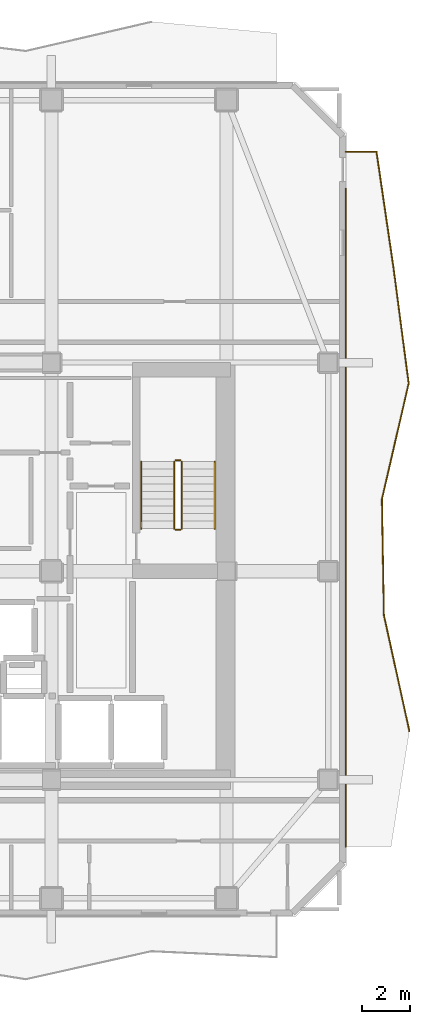
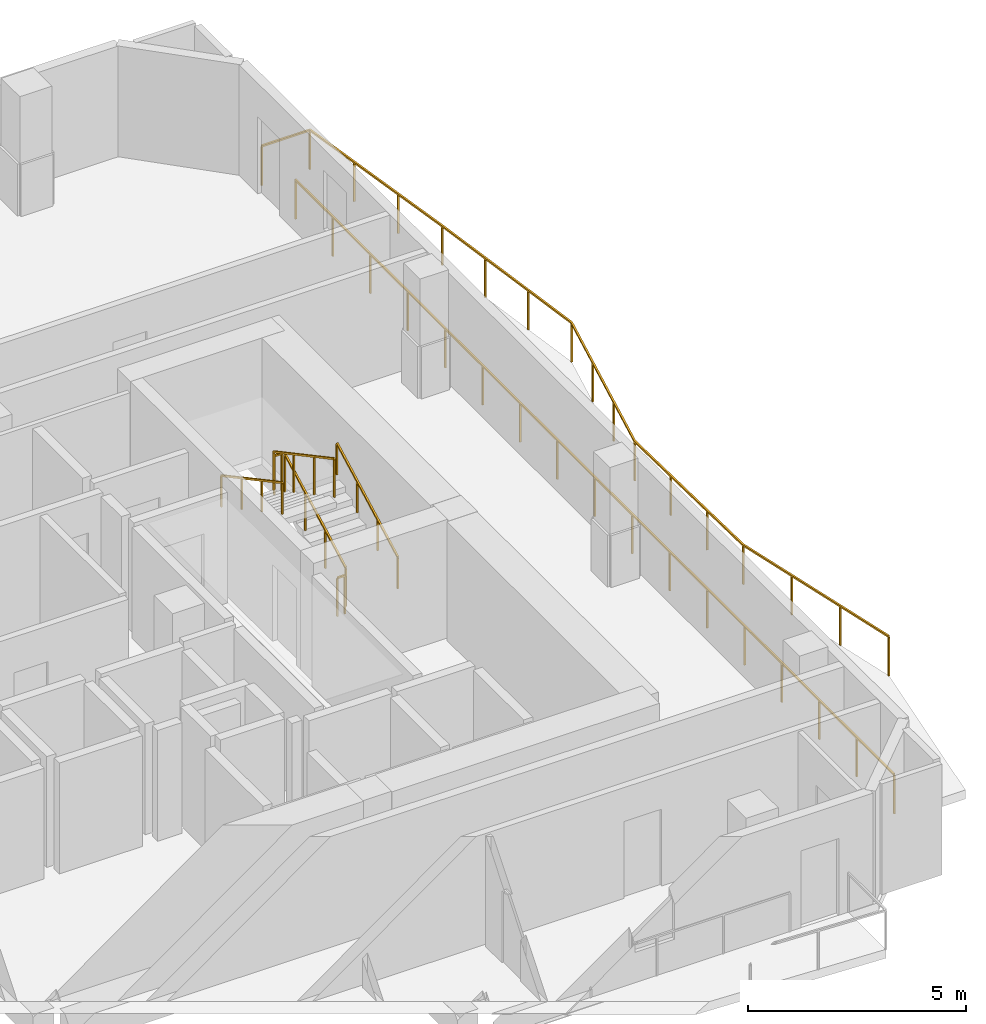
# One storey, part 9 of 10: 8 railings.
"""IFC4 building model written with IfcOpenShell, lengths in metres."""

from ifc_helpers import new_model, si_unit, direction, frame, origin, origin_2d, place, context, subcontext, project, spatial, rectangle, extrude, material, type_object, element, save


model = new_model("IFC4")

# Units and contexts
model_context = context("Model", 3, precision=1e-05, world=origin(), true_north=direction((0.0, 1.0)))
body_context = subcontext(model_context, "Body", "Model", "MODEL_VIEW")
ifc_project = project(units=[si_unit("LENGTHUNIT", "METRE"), si_unit("AREAUNIT", "SQUARE_METRE"), si_unit("VOLUMEUNIT", "CUBIC_METRE"), si_unit("PLANEANGLEUNIT", "RADIAN"), si_unit("MASSUNIT", "GRAM", prefix="KILO")], contexts=[model_context])

# Site, building, storey
site_placement = place(None, origin())
site = spatial("IfcSite", under=ifc_project, at=site_placement, CompositionType="ELEMENT")
building_placement = place(site_placement, origin())
building = spatial("IfcBuilding", under=site, at=building_placement, Name="Solanera Arch Residences", CompositionType="ELEMENT")
storey_placement = place(building_placement, frame((0.0, 0.0, 265.56005859375)))
storey = spatial("IfcBuildingStorey", under=building, at=storey_placement, Name="L77", CompositionType="ELEMENT", Elevation=265.56005859375)

# Railings
ifc_material_1 = material(Name="Steel S355 (ASTM A992 / A572 Grade 50)", Category="steel")
railing_type_1 = type_object("IfcRailingType", Name="Balustrade Railing BL-1100", PredefinedType="BALUSTRADE", material=ifc_material_1)
railing_1_placement = place(storey_placement, frame((44.132080078125, 24.032958984375, 0.0)))
element("IfcRailing", 1, at=railing_1_placement, inside=storey, type_object=railing_type_1, Name="L77 E Balcony Balustrade 1", PredefinedType="BALUSTRADE", context=body_context, shape_type="SweptSolid", body=[
    extrude(rectangle(XDim=0.048095703125, YDim=0.048095703125, at=origin_2d()), frame((0.0, 0.0, 1.09619140625), z_axis=(-0.214767683007, 0.97666516388, 0.0), x_axis=(-0.97666516388, -0.214767683007, 0.0)), (0.0, 0.0, 1.0), 4.949462890625),
    extrude(rectangle(XDim=0.048095703125, YDim=0.048095703125, at=origin_2d()), frame((-1.06298828125, 4.833984375, 1.09619140625), z_axis=(-0.017172654238, 0.999852539101, 0.0), x_axis=(-0.999852539101, -0.017172654238, 0.0)), (0.0, 0.0, 1.0), 4.833740234375),
    extrude(rectangle(XDim=0.048095703125, YDim=0.048095703125, at=origin_2d()), frame((-1.14599609375, 9.6669921875, 1.09619140625), z_axis=(0.225172222795, 0.974318977585, 0.0), x_axis=(-0.974318977585, 0.225172222795, 0.0)), (0.0, 0.0, 1.0), 4.96044921875),
    extrude(rectangle(XDim=0.048095703125, YDim=0.048095703125, at=origin_2d()), frame((-0.029052734375, 14.5, 1.09619140625), z_axis=(-0.130244665721, 0.991481884379, 0.0), x_axis=(-0.991481884379, -0.130244665721, 0.0)), (0.0, 0.0, 1.0), 4.87548828125),
    extrude(rectangle(XDim=0.048095703125, YDim=0.048095703125, at=origin_2d()), frame((-0.6640625, 19.333984375, 1.09619140625), z_axis=(-0.145142891701, 0.989410703898, 0.0), x_axis=(-0.989410703898, -0.145142891701, 0.0)), (0.0, 0.0, 1.0), 4.884765625),
    extrude(rectangle(XDim=0.048095703125, YDim=0.048095703125, at=origin_2d()), frame((-1.373046875, 24.1669921875, 1.09619140625), z_axis=(-1.0, 0.0, 0.0), x_axis=(0.0, -1.0, 0.0)), (0.0, 0.0, 1.0), 1.279052734375),
    extrude(rectangle(XDim=0.0419921875, YDim=0.0419921875, at=origin_2d()), origin(), (0.0, 0.0, 1.0), 1.072021484375),
    extrude(rectangle(XDim=0.0419921875, YDim=0.0419921875, at=origin_2d()), frame((-0.354248046875, 1.611328125, 0.0)), (0.0, 0.0, 1.0), 1.072021484375),
    extrude(rectangle(XDim=0.0419921875, YDim=0.0419921875, at=origin_2d()), frame((-0.708740234375, 3.22265625, 0.0)), (0.0, 0.0, 1.0), 1.072021484375),
    extrude(rectangle(XDim=0.0419921875, YDim=0.0419921875, at=origin_2d()), frame((-1.06298828125, 4.833984375, 0.0)), (0.0, 0.0, 1.0), 1.072021484375),
    extrude(rectangle(XDim=0.0419921875, YDim=0.0419921875, at=origin_2d()), frame((-1.090576171875, 6.445068359375, 0.0)), (0.0, 0.0, 1.0), 1.072021484375),
    extrude(rectangle(XDim=0.0419921875, YDim=0.0419921875, at=origin_2d()), frame((-1.118408203125, 8.055908203125, 0.0)), (0.0, 0.0, 1.0), 1.072021484375),
    extrude(rectangle(XDim=0.0419921875, YDim=0.0419921875, at=origin_2d()), frame((-1.14599609375, 9.6669921875, 0.0)), (0.0, 0.0, 1.0), 1.072021484375),
    extrude(rectangle(XDim=0.0419921875, YDim=0.0419921875, at=origin_2d()), frame((-0.773681640625, 11.278076171875, 0.0)), (0.0, 0.0, 1.0), 1.072021484375),
    extrude(rectangle(XDim=0.0419921875, YDim=0.0419921875, at=origin_2d()), frame((-0.4013671875, 12.888916015625, 0.0)), (0.0, 0.0, 1.0), 1.072021484375),
    extrude(rectangle(XDim=0.0419921875, YDim=0.0419921875, at=origin_2d()), frame((-0.029052734375, 14.5, 0.0)), (0.0, 0.0, 1.0), 1.072021484375),
    extrude(rectangle(XDim=0.0419921875, YDim=0.0419921875, at=origin_2d()), frame((-0.24072265625, 16.111328125, 0.0)), (0.0, 0.0, 1.0), 1.072021484375),
    extrude(rectangle(XDim=0.0419921875, YDim=0.0419921875, at=origin_2d()), frame((-0.452392578125, 17.72265625, 0.0)), (0.0, 0.0, 1.0), 1.072021484375),
    extrude(rectangle(XDim=0.0419921875, YDim=0.0419921875, at=origin_2d()), frame((-0.6640625, 19.333984375, 0.0)), (0.0, 0.0, 1.0), 1.072021484375),
    extrude(rectangle(XDim=0.0419921875, YDim=0.0419921875, at=origin_2d()), frame((-0.900390625, 20.945068359375, 0.0)), (0.0, 0.0, 1.0), 1.072021484375),
    extrude(rectangle(XDim=0.0419921875, YDim=0.0419921875, at=origin_2d()), frame((-1.13671875, 22.555908203125, 0.0)), (0.0, 0.0, 1.0), 1.072021484375),
    extrude(rectangle(XDim=0.0419921875, YDim=0.0419921875, at=origin_2d()), frame((-1.373046875, 24.1669921875, 0.0)), (0.0, 0.0, 1.0), 1.072021484375),
    extrude(rectangle(XDim=0.0419921875, YDim=0.0419921875, at=origin_2d()), frame((-2.652099609375, 24.1669921875, 0.0)), (0.0, 0.0, 1.0), 1.072021484375),
])
railing_2_placement = place(storey_placement, frame((41.47998046875, 46.64501953125, 0.0)))
element("IfcRailing", 2, at=railing_2_placement, inside=storey, type_object=railing_type_1, Name="L77 E Balcony Balustrade 2", PredefinedType="BALUSTRADE", context=body_context, shape_type="SweptSolid", body=[
    extrude(rectangle(XDim=0.048095703125, YDim=0.048095703125, at=origin_2d()), frame((0.0, 0.0, 1.09619140625), z_axis=(0.0, -1.0, 0.0), x_axis=(1.0, 0.0, 0.0)), (0.0, 0.0, 1.0), 27.445068359375),
    extrude(rectangle(XDim=0.0419921875, YDim=0.0419921875, at=origin_2d()), origin(), (0.0, 0.0, 1.0), 1.072021484375),
    extrude(rectangle(XDim=0.0419921875, YDim=0.0419921875, at=origin_2d()), frame((0.0, -1.71533203125, 0.0)), (0.0, 0.0, 1.0), 1.072021484375),
    extrude(rectangle(XDim=0.0419921875, YDim=0.0419921875, at=origin_2d()), frame((0.0, -3.4306640625, 0.0)), (0.0, 0.0, 1.0), 1.072021484375),
    extrude(rectangle(XDim=0.0419921875, YDim=0.0419921875, at=origin_2d()), frame((0.0, -5.14599609375, 0.0)), (0.0, 0.0, 1.0), 1.072021484375),
    extrude(rectangle(XDim=0.0419921875, YDim=0.0419921875, at=origin_2d()), frame((0.0, -6.861328125, 0.0)), (0.0, 0.0, 1.0), 1.072021484375),
    extrude(rectangle(XDim=0.0419921875, YDim=0.0419921875, at=origin_2d()), frame((0.0, -8.57666015625, 0.0)), (0.0, 0.0, 1.0), 1.072021484375),
    extrude(rectangle(XDim=0.0419921875, YDim=0.0419921875, at=origin_2d()), frame((0.0, -10.2919921875, 0.0)), (0.0, 0.0, 1.0), 1.072021484375),
    extrude(rectangle(XDim=0.0419921875, YDim=0.0419921875, at=origin_2d()), frame((0.0, -12.00732421875, 0.0)), (0.0, 0.0, 1.0), 1.072021484375),
    extrude(rectangle(XDim=0.0419921875, YDim=0.0419921875, at=origin_2d()), frame((0.0, -13.72265625, 0.0)), (0.0, 0.0, 1.0), 1.072021484375),
    extrude(rectangle(XDim=0.0419921875, YDim=0.0419921875, at=origin_2d()), frame((0.0, -15.437744140625, 0.0)), (0.0, 0.0, 1.0), 1.072021484375),
    extrude(rectangle(XDim=0.0419921875, YDim=0.0419921875, at=origin_2d()), frame((0.0, -17.153076171875, 0.0)), (0.0, 0.0, 1.0), 1.072021484375),
    extrude(rectangle(XDim=0.0419921875, YDim=0.0419921875, at=origin_2d()), frame((0.0, -18.868408203125, 0.0)), (0.0, 0.0, 1.0), 1.072021484375),
    extrude(rectangle(XDim=0.0419921875, YDim=0.0419921875, at=origin_2d()), frame((0.0, -20.583740234375, 0.0)), (0.0, 0.0, 1.0), 1.072021484375),
    extrude(rectangle(XDim=0.0419921875, YDim=0.0419921875, at=origin_2d()), frame((0.0, -22.299072265625, 0.0)), (0.0, 0.0, 1.0), 1.072021484375),
    extrude(rectangle(XDim=0.0419921875, YDim=0.0419921875, at=origin_2d()), frame((0.0, -24.014404296875, 0.0)), (0.0, 0.0, 1.0), 1.072021484375),
    extrude(rectangle(XDim=0.0419921875, YDim=0.0419921875, at=origin_2d()), frame((0.0, -25.729736328125, 0.0)), (0.0, 0.0, 1.0), 1.072021484375),
    extrude(rectangle(XDim=0.0419921875, YDim=0.0419921875, at=origin_2d()), frame((0.0, -27.445068359375, 0.0)), (0.0, 0.0, 1.0), 1.072021484375),
])
ifc_material_2 = material(Name="Steel S355 (ASTM A992 / A572 Grade 50)", Category="steel")
railing_type_2 = type_object("IfcRailingType", Name="Stair Guardrail GR-1100", PredefinedType="GUARDRAIL", material=ifc_material_2)
railing_3_placement = place(storey_placement, frame((34.6298828125, 32.47998046875, 0.15087890625)))
element("IfcRailing", 3, at=railing_3_placement, inside=storey, type_object=railing_type_2, Name="L77 ST-T2 stair guard 1", PredefinedType="GUARDRAIL", context=body_context, shape_type="SweptSolid", body=[
    extrude(rectangle(XDim=0.048095703125, YDim=0.048095703125, at=origin_2d()), frame((0.0, 0.0, 1.076171875), z_axis=(0.0, 0.881548766853, 0.472092969298), x_axis=(-1.0, 0.0, 0.0)), (0.0, 0.0, 1.0), 3.1650390625),
    extrude(rectangle(XDim=0.0419921875, YDim=0.0419921875, at=origin_2d()), origin(), (0.0, 0.0, 1.0), 1.052001953125),
    extrude(rectangle(XDim=0.0419921875, YDim=0.0419921875, at=origin_2d()), frame((0.0, 0.929931640625, 0.498046875)), (0.0, 0.0, 1.0), 1.052001953125),
    extrude(rectangle(XDim=0.0419921875, YDim=0.0419921875, at=origin_2d()), frame((0.0, 1.860107421875, 0.99609375)), (0.0, 0.0, 1.0), 1.052001953125),
    extrude(rectangle(XDim=0.0419921875, YDim=0.0419921875, at=origin_2d()), frame((0.0, 2.7900390625, 1.494140625)), (0.0, 0.0, 1.0), 1.052001953125),
])
railing_4_placement = place(storey_placement, frame((34.580078125, 35.320068359375, 1.64501953125)))
element("IfcRailing", 4, at=railing_4_placement, inside=storey, type_object=railing_type_2, Name="L77 ST-T2 stair guard 2", PredefinedType="GUARDRAIL", context=body_context, shape_type="SweptSolid", body=[
    extrude(rectangle(XDim=0.048095703125, YDim=0.048095703125, at=origin_2d()), frame((0.0, 0.0, 1.076171875), z_axis=(-1.0, 0.0, 0.0), x_axis=(0.0, -1.0, 0.0)), (0.0, 0.0, 1.0), 0.2001953125),
    extrude(rectangle(XDim=0.0419921875, YDim=0.0419921875, at=origin_2d()), origin(), (0.0, 0.0, 1.0), 1.052001953125),
    extrude(rectangle(XDim=0.0419921875, YDim=0.0419921875, at=origin_2d()), frame((-0.2001953125, 0.0, 0.0)), (0.0, 0.0, 1.0), 1.052001953125),
])
railing_5_placement = place(storey_placement, frame((34.330078125, 35.27001953125, 1.81103515625)))
element("IfcRailing", 5, at=railing_5_placement, inside=storey, type_object=railing_type_2, Name="L77 ST-T2 stair guard 3", PredefinedType="GUARDRAIL", context=body_context, shape_type="SweptSolid", body=[
    extrude(rectangle(XDim=0.048095703125, YDim=0.048095703125, at=origin_2d()), frame((0.0, 0.0, 1.076171875), z_axis=(0.0, -0.881580869306, 0.472033018838), x_axis=(1.0, 0.0, 0.0)), (0.0, 0.0, 1.0), 3.164794921875),
    extrude(rectangle(XDim=0.0419921875, YDim=0.0419921875, at=origin_2d()), origin(), (0.0, 0.0, 1.0), 1.052001953125),
    extrude(rectangle(XDim=0.0419921875, YDim=0.0419921875, at=origin_2d()), frame((0.0, -0.929931640625, 0.498046875)), (0.0, 0.0, 1.0), 1.052001953125),
    extrude(rectangle(XDim=0.0419921875, YDim=0.0419921875, at=origin_2d()), frame((0.0, -1.860107421875, 0.995849609375)), (0.0, 0.0, 1.0), 1.052001953125),
    extrude(rectangle(XDim=0.0419921875, YDim=0.0419921875, at=origin_2d()), frame((0.0, -2.7900390625, 1.493896484375)), (0.0, 0.0, 1.0), 1.052001953125),
])
railing_6_placement = place(storey_placement, frame((34.580078125, 32.429931640625, -0.01513671875)))
element("IfcRailing", 6, at=railing_6_placement, inside=storey, type_object=railing_type_2, Name="L77 ST-T2 stair guard 4", PredefinedType="GUARDRAIL", context=body_context, shape_type="SweptSolid", body=[
    extrude(rectangle(XDim=0.048095703125, YDim=0.048095703125, at=origin_2d()), frame((0.0, 0.0, 1.076171875), z_axis=(-1.0, 0.0, 0.0), x_axis=(0.0, -1.0, 0.0)), (0.0, 0.0, 1.0), 0.2001953125),
    extrude(rectangle(XDim=0.0419921875, YDim=0.0419921875, at=origin_2d()), origin(), (0.0, 0.0, 1.0), 1.052001953125),
    extrude(rectangle(XDim=0.0419921875, YDim=0.0419921875, at=origin_2d()), frame((-0.2001953125, 0.0, 0.0)), (0.0, 0.0, 1.0), 1.052001953125),
])
ifc_material_3 = material(Name="Steel S355 (ASTM A992 / A572 Grade 50)", Category="steel")
railing_type_3 = type_object("IfcRailingType", Name="Stair Wall Handrail HR-920", PredefinedType="HANDRAIL", material=ifc_material_3)
railing_7_placement = place(storey_placement, frame((36.010009765625, 32.47998046875, 0.166015625)))
element("IfcRailing", 7, at=railing_7_placement, inside=storey, type_object=railing_type_3, Name="L77 ST-T2 stair handrail 1", PredefinedType="HANDRAIL", context=body_context, shape_type="SweptSolid", body=[
    extrude(rectangle(XDim=0.048095703125, YDim=0.048095703125, at=origin_2d()), frame((0.0, 0.0, 0.8759765625), z_axis=(0.0, 0.881580869306, 0.472033018838), x_axis=(-1.0, 0.0, 0.0)), (0.0, 0.0, 1.0), 3.164794921875),
    extrude(rectangle(XDim=0.0419921875, YDim=0.0419921875, at=origin_2d()), origin(), (0.0, 0.0, 1.0), 0.851806640625),
    extrude(rectangle(XDim=0.0419921875, YDim=0.0419921875, at=origin_2d()), frame((0.0, 0.929931640625, 0.498046875)), (0.0, 0.0, 1.0), 0.851806640625),
    extrude(rectangle(XDim=0.0419921875, YDim=0.0419921875, at=origin_2d()), frame((0.0, 1.860107421875, 0.995849609375)), (0.0, 0.0, 1.0), 0.851806640625),
    extrude(rectangle(XDim=0.0419921875, YDim=0.0419921875, at=origin_2d()), frame((0.0, 2.7900390625, 1.493896484375)), (0.0, 0.0, 1.0), 0.851806640625),
])
railing_8_placement = place(storey_placement, frame((32.949951171875, 35.27001953125, 1.825927734375)))
element("IfcRailing", 8, at=railing_8_placement, inside=storey, type_object=railing_type_3, Name="L77 ST-T2 stair handrail 2", PredefinedType="HANDRAIL", context=body_context, shape_type="SweptSolid", body=[
    extrude(rectangle(XDim=0.048095703125, YDim=0.048095703125, at=origin_2d()), frame((0.0, 0.0, 0.8759765625), z_axis=(0.0, -0.881580869306, 0.472033018838), x_axis=(1.0, 0.0, 0.0)), (0.0, 0.0, 1.0), 3.164794921875),
    extrude(rectangle(XDim=0.0419921875, YDim=0.0419921875, at=origin_2d()), origin(), (0.0, 0.0, 1.0), 0.851806640625),
    extrude(rectangle(XDim=0.0419921875, YDim=0.0419921875, at=origin_2d()), frame((0.0, -0.929931640625, 0.498046875)), (0.0, 0.0, 1.0), 0.851806640625),
    extrude(rectangle(XDim=0.0419921875, YDim=0.0419921875, at=origin_2d()), frame((0.0, -1.860107421875, 0.995849609375)), (0.0, 0.0, 1.0), 0.851806640625),
    extrude(rectangle(XDim=0.0419921875, YDim=0.0419921875, at=origin_2d()), frame((0.0, -2.7900390625, 1.493896484375)), (0.0, 0.0, 1.0), 0.851806640625),
])

save(model, "model.ifc")
